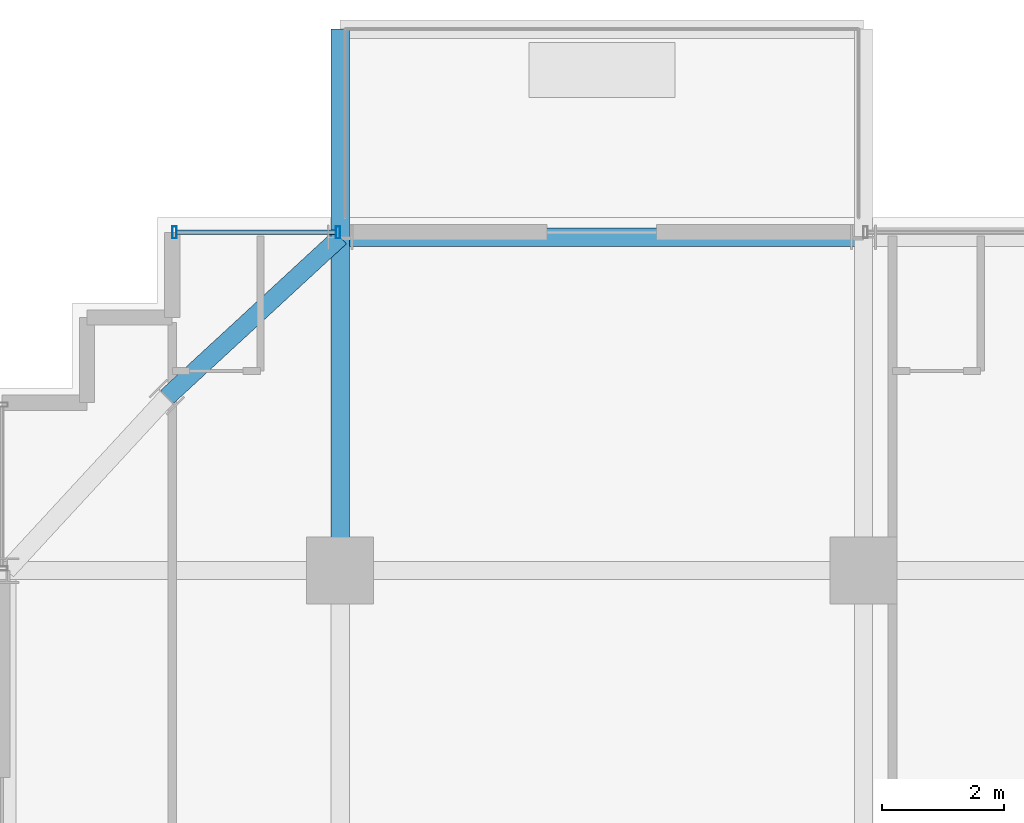
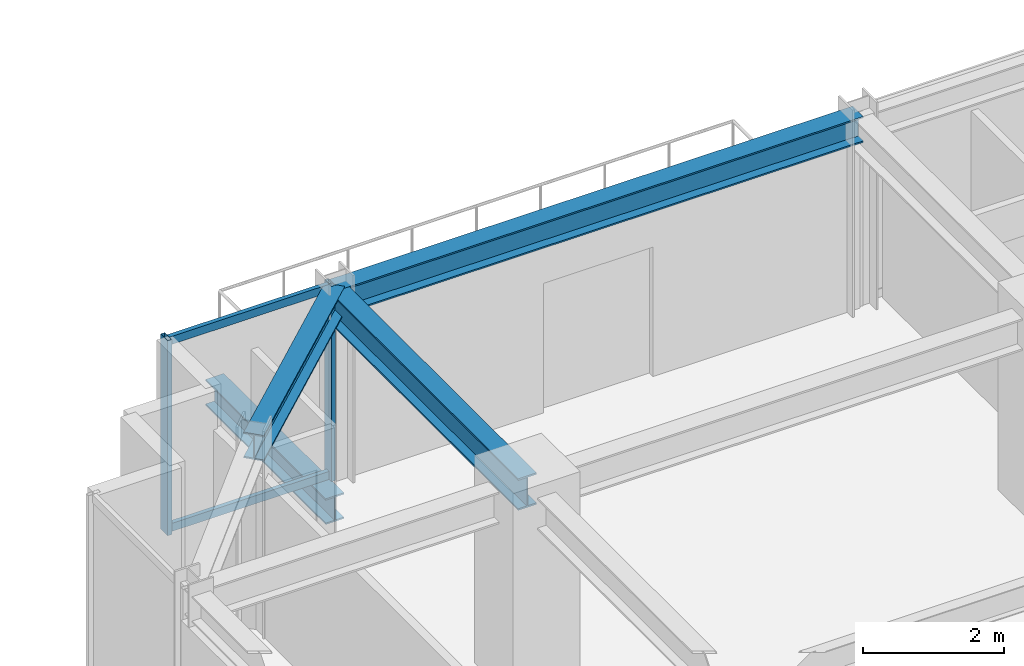
# One storey, part 23 of 37: 4 beams, 4 members, 1 element without a shape of its own.
"""IFC4 building model written with IfcOpenShell, lengths in metres."""

from ifc_helpers import new_model, si_unit, direction, frame, origin, origin_2d, place, context, subcontext, project, spatial, hollow_rectangle, i_section, extrude, source, transform, mapped, material, material_profile, profile_set, type_object, element, aggregate, save


model = new_model("IFC4")

# Units and contexts
model_context = context("Model", 3, precision=1e-05, world=origin(), true_north=direction((0.0, 1.0)))
body_context = subcontext(model_context, "Body", "Model", "MODEL_VIEW")
ifc_project = project(units=[si_unit("LENGTHUNIT", "METRE"), si_unit("AREAUNIT", "SQUARE_METRE"), si_unit("VOLUMEUNIT", "CUBIC_METRE"), si_unit("PLANEANGLEUNIT", "RADIAN"), si_unit("MASSUNIT", "GRAM", prefix="KILO")], contexts=[model_context])

# Site, building, storey
site_placement = place(None, origin())
site = spatial("IfcSite", under=ifc_project, at=site_placement, CompositionType="ELEMENT")
building_placement = place(site_placement, origin())
building = spatial("IfcBuilding", under=site, at=building_placement, Name="Nahalor Promenade Grand Hotel", CompositionType="ELEMENT")
storey_placement = place(building_placement, frame((0.0, 0.0, 167.25)))
storey = spatial("IfcBuildingStorey", under=building, at=storey_placement, Name="L42", CompositionType="ELEMENT", Elevation=167.25)

# Beams
ifc_material_1 = material(Name="Steel S355JR", Category="steel")
ifc_material_profile_1 = material_profile(ifc_material_1, i_section(OverallWidth=0.3, OverallDepth=0.45, WebThickness=0.014, FlangeThickness=0.026, at=origin_2d()), Name="HEB 450")
ifc_profile_set_1 = profile_set([ifc_material_profile_1], Name="Steel S355JR")
beam_type_1 = type_object("IfcBeamType", Name="Beam-Outrigger-HEB450", PredefinedType="BEAM", material=ifc_profile_set_1)
shared_shape_1 = source(origin(), body_context, "Body", "SweptSolid", [
    extrude(i_section(OverallWidth=0.3, OverallDepth=0.45, WebThickness=0.014, FlangeThickness=0.026, at=origin_2d()), origin(), (0.0, 0.0, 1.0), 3.419921875),
])
beam_1_placement = place(storey_placement, frame((-17.0, 22.47998046875, -0.5048828125), z_axis=(0.0, 1.0, 0.0), x_axis=(-1.0, 0.0, 0.0)))
element("IfcBeam", 1, at=beam_1_placement, inside=storey, type_object=beam_type_1, Name="BM-L42-BC-01-1", PredefinedType="BEAM", context=body_context, shape_type="MappedRepresentation", body=[
    mapped(shared_shape_1, transform((0.0, 0.0, 0.0), scale=1.0)),
])
ifc_material_profile_2 = material_profile(ifc_material_1, i_section(OverallWidth=0.3, OverallDepth=0.55, WebThickness=0.015, FlangeThickness=0.029, at=origin_2d()), Name="HEB 550")
ifc_profile_set_2 = profile_set([ifc_material_profile_2], Name="Steel S355JR")
beam_type_2 = type_object("IfcBeamType", Name="Beam-Girder-HEB550", PredefinedType="BEAM", material=ifc_profile_set_2)
shared_shape_2 = source(origin(), body_context, "Body", "SweptSolid", [
    extrude(i_section(OverallWidth=0.3, OverallDepth=0.55, WebThickness=0.015, FlangeThickness=0.029, at=origin_2d()), origin(), (0.0, 0.0, 1.0), 5.47998046875),
])
beam_2_placement = place(storey_placement, frame((-17.0, 17.0, 3.114990234375), z_axis=(0.0, 1.0, 0.0), x_axis=(-1.0, 0.0, 0.0)))
element("IfcBeam", 2, at=beam_2_placement, inside=storey, type_object=beam_type_2, Name="BM-L42-GY-0-4", PredefinedType="BEAM", context=body_context, shape_type="MappedRepresentation", body=[
    mapped(shared_shape_2, transform((0.0, 0.0, 0.0), scale=1.0)),
])
ifc_material_profile_3 = material_profile(ifc_material_1, i_section(OverallWidth=0.3, OverallDepth=0.45, WebThickness=0.014, FlangeThickness=0.026, at=origin_2d()), Name="HEB 450")
ifc_profile_set_3 = profile_set([ifc_material_profile_3], Name="Steel S355JR")
beam_type_3 = type_object("IfcBeamType", Name="Beam-Spandrel-HEB450", PredefinedType="SPANDREL", material=ifc_profile_set_3)
shared_shape_3 = source(origin(), body_context, "Body", "SweptSolid", [
    extrude(i_section(OverallWidth=0.3, OverallDepth=0.45, WebThickness=0.014, FlangeThickness=0.026, at=origin_2d()), origin(), (0.0, 0.0, 1.0), 8.60009765625),
])
beam_3_placement = place(storey_placement, frame((-17.0, 22.47998046875, 3.1650390625), z_axis=(1.0, 0.0, 0.0), x_axis=(0.0, 1.0, 0.0)))
element("IfcBeam", 3, at=beam_3_placement, inside=storey, type_object=beam_type_3, Name="BM-L42-SP-N-0", PredefinedType="SPANDREL", context=body_context, shape_type="MappedRepresentation", body=[
    mapped(shared_shape_3, transform((0.0, 0.0, 0.0), scale=1.0)),
])
shared_shape_4 = source(origin(), body_context, "Body", "SweptSolid", [
    extrude(i_section(OverallWidth=0.3, OverallDepth=0.45, WebThickness=0.014, FlangeThickness=0.026, at=origin_2d()), origin(), (0.0, 0.0, 1.0), 3.878173828125),
])
beam_4_placement = place(storey_placement, frame((-17.0, 22.47998046875, 3.1650390625), z_axis=(-0.73492893846, -0.678144125843, 0.0), x_axis=(0.678144125843, -0.73492893846, 0.0)))
element("IfcBeam", 4, at=beam_4_placement, inside=storey, type_object=beam_type_3, Name="BM-L42-SPC-NW-1", PredefinedType="SPANDREL", context=body_context, shape_type="MappedRepresentation", body=[
    mapped(shared_shape_4, transform((0.0, 0.0, 0.0), scale=1.0)),
])

# Curtain wall, members
ifc_material_2 = material(Name="Anodised Bronze Aluminium EN AW-6063 T6", Category="aluminium")
curtain_wall_type = type_object("IfcCurtainWallType", Name="CW3 Elliptical-Void Collar Unitised Curtain Wall", PredefinedType="USERDEFINED", material=ifc_material_2)
curtain_wall_placement = place(storey_placement, origin())
curtain_wall = element("IfcCurtainWall", 5, at=curtain_wall_placement, inside=storey, type_object=curtain_wall_type, Name="L42 Curtain Wall CW-L42-N-1", ObjectType="UNITISED_CURTAIN_WALL", PredefinedType="USERDEFINED")
ifc_material_profile_4 = material_profile(ifc_material_2, hollow_rectangle(XDim=0.07, YDim=0.14, WallThickness=0.004, at=origin_2d()), Name="CWT 70x140x4")
ifc_profile_set_4 = profile_set([ifc_material_profile_4], Name="Anodised Bronze Aluminium EN AW-6063 T6")
member_type_1 = type_object("IfcMemberType", Name="CWT3 Void Collar Transom 70x140", PredefinedType="USERDEFINED", material=ifc_profile_set_4)
shared_shape_5 = source(origin(), body_context, "Body", "SweptSolid", [
    extrude(hollow_rectangle(XDim=0.07, YDim=0.14, WallThickness=0.004, at=origin_2d()), origin(), (0.0, 0.0, 1.0), 2.619873046875),
])
member_1_placement = place(storey_placement, frame((-19.68994140625, 22.56005859375, 0.070068359375), z_axis=(1.0, 0.0, 0.0), x_axis=(0.0, 1.0, 0.0)))
member_1 = element("IfcMember", 6, at=member_1_placement, type_object=member_type_1, Name="CW-L42-N-1 Transom 0-0", ObjectType="TRANSOM", PredefinedType="USERDEFINED", context=body_context, shape_type="MappedRepresentation", body=[
    mapped(shared_shape_5, transform((0.0, 0.0, 0.0), scale=1.0)),
])
member_2_placement = place(storey_placement, frame((-19.68994140625, 22.56005859375, 3.320068359375), z_axis=(1.0, 0.0, 0.0), x_axis=(0.0, 1.0, 0.0)))
member_2 = element("IfcMember", 7, at=member_2_placement, type_object=member_type_1, Name="CW-L42-N-1 Transom 0-1", ObjectType="TRANSOM", PredefinedType="USERDEFINED", context=body_context, shape_type="MappedRepresentation", body=[
    mapped(shared_shape_5, transform((0.0, 0.0, 0.0), scale=1.0)),
])
ifc_material_profile_5 = material_profile(ifc_material_2, hollow_rectangle(XDim=0.07, YDim=0.2, WallThickness=0.005, at=origin_2d()), Name="CWM 70x200x5")
ifc_profile_set_5 = profile_set([ifc_material_profile_5], Name="Anodised Bronze Aluminium EN AW-6063 T6")
member_type_2 = type_object("IfcMemberType", Name="CWM3 Void Collar Mullion 70x200", PredefinedType="MULLION", material=ifc_profile_set_5)
shared_shape_6 = source(origin(), body_context, "Body", "SweptSolid", [
    extrude(hollow_rectangle(XDim=0.07, YDim=0.2, WallThickness=0.005, at=origin_2d()), origin(), (0.0, 0.0, 1.0), 3.389892578125),
])
member_3_placement = place(storey_placement, frame((-19.72509765625, 22.56005859375, 0.0), z_axis=(0.0, 0.0, 1.0), x_axis=(1.0, 0.0, 0.0)))
member_3 = element("IfcMember", 8, at=member_3_placement, type_object=member_type_2, Name="CW-L42-N-1 Mullion 0", PredefinedType="MULLION", context=body_context, shape_type="MappedRepresentation", body=[
    mapped(shared_shape_6, transform((0.0, 0.0, 0.0), scale=1.0)),
])
member_4_placement = place(storey_placement, frame((-17.034912109375, 22.56005859375, 0.0), z_axis=(0.0, 0.0, 1.0), x_axis=(1.0, 0.0, 0.0)))
member_4 = element("IfcMember", 9, at=member_4_placement, type_object=member_type_2, Name="CW-L42-N-1 Mullion 1", PredefinedType="MULLION", context=body_context, shape_type="MappedRepresentation", body=[
    mapped(shared_shape_6, transform((0.0, 0.0, 0.0), scale=1.0)),
])
aggregate(curtain_wall, [member_3, member_4, member_1, member_2])

save(model, "model.ifc")
